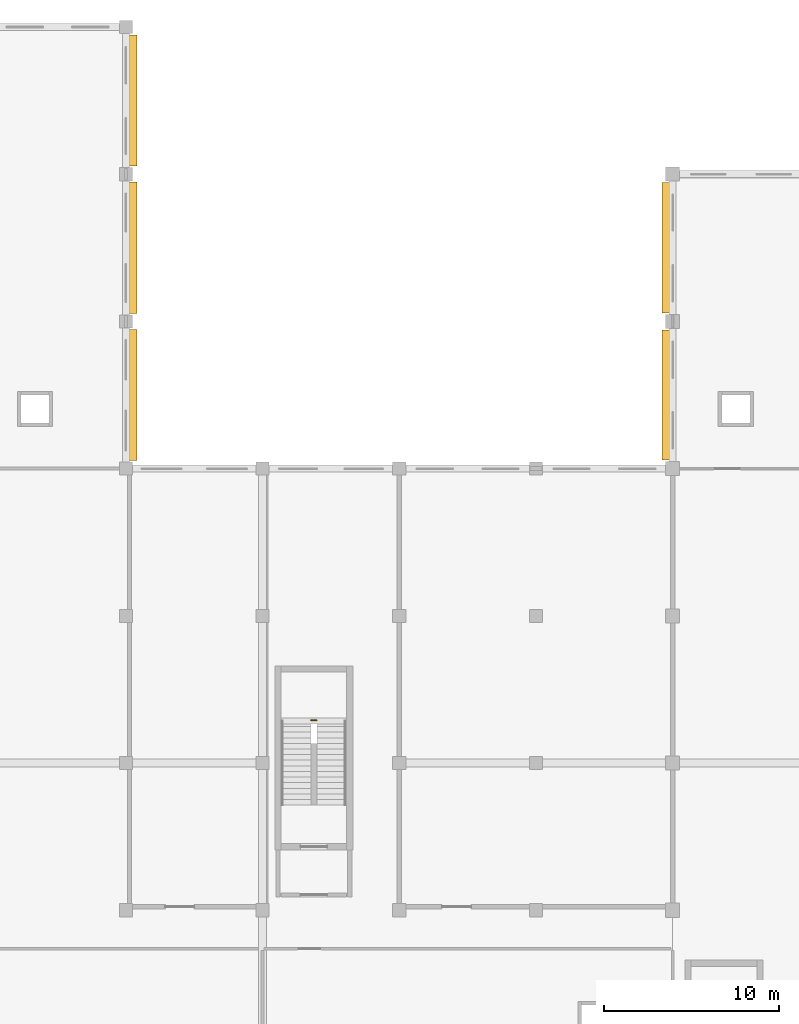
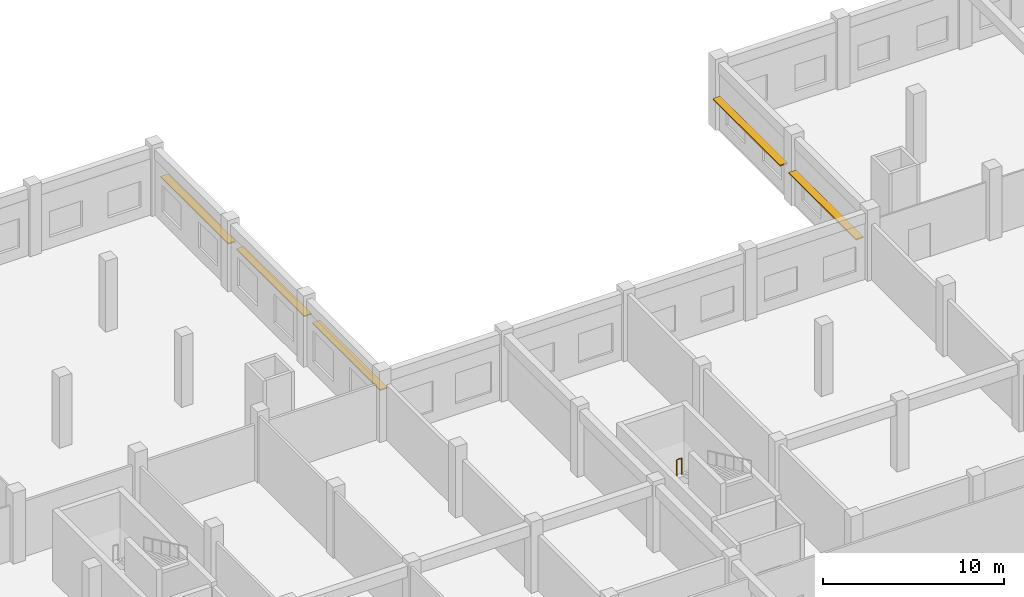
# One storey, part 59 of 62: 5 shading devices, 1 railing.
"""IFC4 building model written with IfcOpenShell, lengths in metres."""

from ifc_helpers import new_model, si_unit, direction, frame, origin, origin_2d, place, context, subcontext, project, spatial, rectangle, circle, extrude, material, layer, layer_set, type_object, element, save


model = new_model("IFC4")

# Units and contexts
model_context = context("Model", 3, precision=1e-05, world=origin(), true_north=direction((0.0, 1.0)))
body_context = subcontext(model_context, "Body", "Model", "MODEL_VIEW")
ifc_project = project(units=[si_unit("LENGTHUNIT", "METRE"), si_unit("AREAUNIT", "SQUARE_METRE"), si_unit("VOLUMEUNIT", "CUBIC_METRE"), si_unit("PLANEANGLEUNIT", "RADIAN"), si_unit("MASSUNIT", "GRAM", prefix="KILO"), si_unit("THERMODYNAMICTEMPERATUREUNIT", "KELVIN"), si_unit("POWERUNIT", "WATT")], contexts=[model_context])

# Site, building, storey
site_placement = place(None, origin())
site = spatial("IfcSite", under=ifc_project, at=site_placement, CompositionType="ELEMENT")
building_placement = place(site_placement, origin())
building = spatial("IfcBuilding", under=site, at=building_placement, Name="Srebrne Nadtorze General Hospital", CompositionType="ELEMENT")
storey_placement = place(building_placement, frame((0.0, 0.0, 9.60009765625)))
storey = spatial("IfcBuildingStorey", under=building, at=storey_placement, Name="L02", CompositionType="ELEMENT", Elevation=9.60009765625)

# Shading devices
ifc_material_1 = material(Name="Anodised Aluminium", Category="aluminium")
ifc_layer = layer(ifc_material_1, 0.080078125)
ifc_layer_set = layer_set([ifc_layer], Name="Anodised Aluminium")
shading_device_type = type_object("IfcShadingDeviceType", Name="Hisashi horizontal aluminium sunshade", PredefinedType="JALOUSIE", material=ifc_layer_set)
for number, where, z_axis, x_axis, name in (
    (1, (70.580078125, 96.60009765625, 2.81982421875), (0.0, 0.0, 1.0), (1.0, 0.0, 0.0), "Hisashi horizontal sunshade eave LV-163"),
    (2, (70.580078125, 105.0, 2.719970703125), (0.0, 0.0, 1.0), (1.0, 0.0, 0.0), "Hisashi horizontal sunshade eave LV-164"),
    (3, (70.580078125, 113.39990234375, 2.519775390625), (0.0, 0.0, 1.0), (1.0, 0.0, 0.0), "Hisashi horizontal sunshade eave LV-165"),
):
    element("IfcShadingDevice", number, at=place(storey_placement, frame(where, z_axis=z_axis, x_axis=x_axis)), inside=storey, type_object=shading_device_type, Name=name, PredefinedType="JALOUSIE", context=body_context, shape_type="SweptSolid", body=[
        extrude(rectangle(XDim=0.47998046875, YDim=7.489990234375, at=origin_2d()), origin(), (0.0, 0.0, 1.0), 0.080078125),
    ])
for number, where, z_axis, x_axis, name in (
    (4, (101.02001953125, 96.60009765625, 2.31982421875), (0.0, 0.0, 1.0), (1.0, 0.0, 0.0), "Hisashi horizontal sunshade eave LV-174"),
    (5, (101.02001953125, 105.0, 2.219970703125), (0.0, 0.0, 1.0), (1.0, 0.0, 0.0), "Hisashi horizontal sunshade eave LV-175"),
):
    element("IfcShadingDevice", number, at=place(storey_placement, frame(where, z_axis=z_axis, x_axis=x_axis)), inside=storey, type_object=shading_device_type, Name=name, PredefinedType="JALOUSIE", context=body_context, shape_type="SweptSolid", body=[
        extrude(rectangle(XDim=0.47998046875, YDim=7.43994140625, at=origin_2d()), origin(), (0.0, 0.0, 1.0), 0.080078125),
    ])

# Railing
ifc_material_2 = material(Name="Stainless Steel 316", Category="steel")
railing_type = type_object("IfcRailingType", Name="Stairwell safety guard 1120", PredefinedType="BALUSTRADE", material=ifc_material_2)
railing_placement = place(storey_placement, frame((80.764892578125, 78.0400390625, 2.39990234375)))
element("IfcRailing", 6, at=railing_placement, inside=storey, type_object=railing_type, Name="Half landing well guard ST-07-L02", PredefinedType="BALUSTRADE", context=body_context, shape_type="SweptSolid", body=[
    extrude(circle(Radius=0.02392578125, at=origin_2d()), frame((0.0, 0.0, 1.09619140625), z_axis=(1.0, 0.0, 0.0), x_axis=(0.0, 1.0, 0.0)), (0.0, 0.0, 1.0), 0.320068359375),
    extrude(circle(Radius=0.02099609375, at=origin_2d()), origin(), (0.0, 0.0, 1.0), 1.072021484375),
    extrude(circle(Radius=0.02099609375, at=origin_2d()), frame((0.320068359375, 0.0, 0.0)), (0.0, 0.0, 1.0), 1.072021484375),
])

save(model, "model.ifc")
